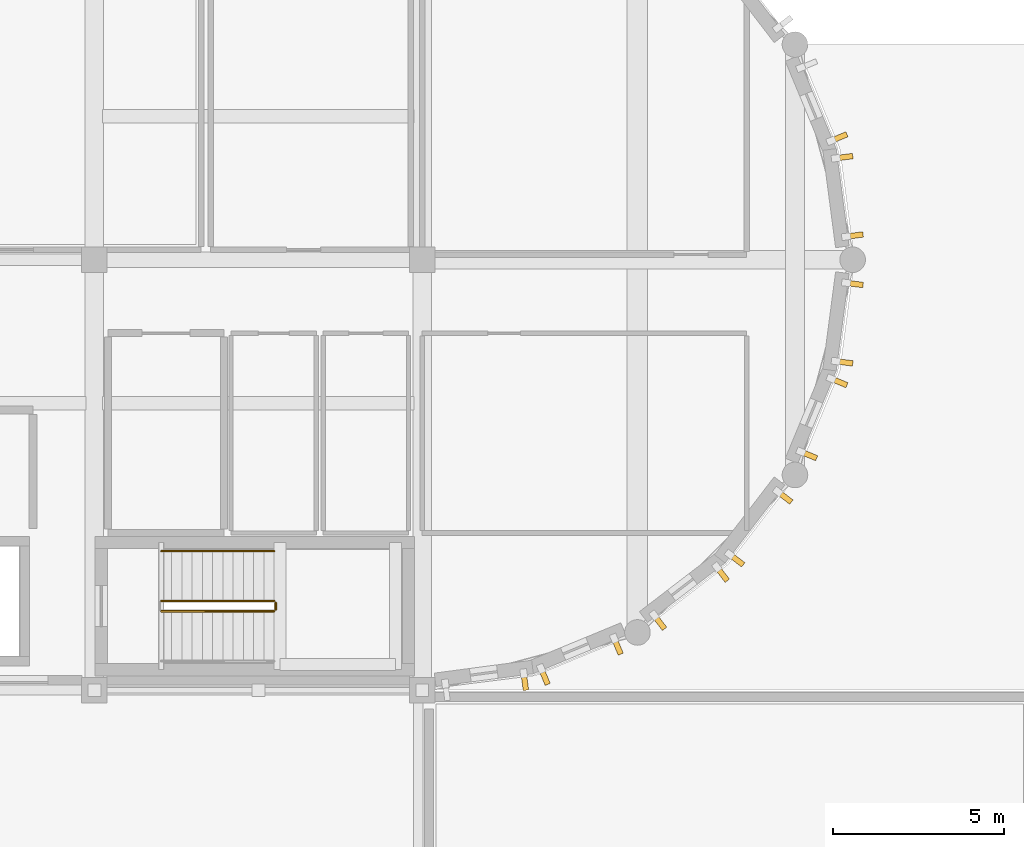
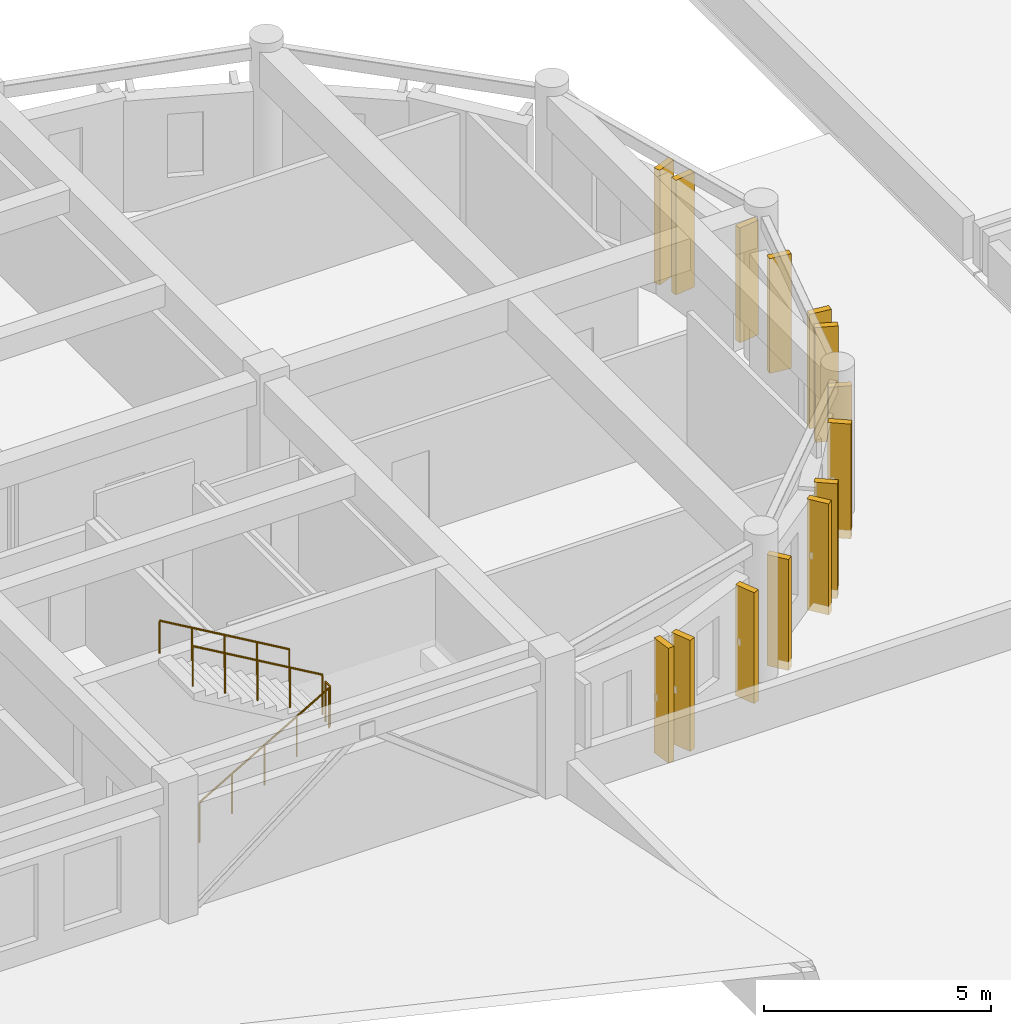
# One storey, part 42 of 46: 14 coverings, 4 railings.
"""IFC4 building model written with IfcOpenShell, lengths in metres."""

import ifcopenshell
import ifcopenshell.guid

model = None  # the IFC model being written
_history = None  # IfcOwnerHistory: only IFC2X3 demands one
_inside = {}  # id of a spatial element -> (the spatial element, [elements in it])
_under = {}  # id of a project, library or spatial element -> (it, [spatial elements below it])
_declared = {}  # id of a project -> (the project, [libraries it declares])
_typed = {}  # id of a type object -> (the type object, [elements of that type])
_made_of = {}  # id of a material, layer set ... -> (it, [elements and type objects made of it])


def new_model(schema):
    """Start an empty IFC model of exactly this schema.

    Asked for "IFC4X3", IfcOpenShell would pick the latest addendum, in which some entities
    have other attributes; the version numbers below select the first issue.
    IFC2X3 requires an IfcOwnerHistory on every rooted entity: one is made here for all.
    """
    global model, _history
    if schema == "IFC4X3":
        model = ifcopenshell.file(schema_version=(4, 3, 0, 0))
    else:
        model = ifcopenshell.file(schema=schema)
    _inside.clear()
    _under.clear()
    _declared.clear()
    _typed.clear()
    _made_of.clear()
    _history = None
    if model.schema == "IFC2X3":
        org = make("IfcOrganization", Name="unknown")
        user = make(
            "IfcPersonAndOrganization",
            ThePerson=make("IfcPerson", FamilyName="unknown"),
            TheOrganization=org,
        )
        app = make(
            "IfcApplication",
            ApplicationDeveloper=org,
            Version="unknown",
            ApplicationFullName="unknown",
            ApplicationIdentifier="unknown",
        )
        _history = make(
            "IfcOwnerHistory",
            OwningUser=user,
            OwningApplication=app,
            ChangeAction="ADDED",
            CreationDate=0,
        )
    return model


def make(cls, **values):
    """One entity of the class cls with the attributes given. An attribute that is None is left unset."""
    return model.create_entity(
        cls, **{name: value for name, value in values.items() if value is not None}
    )


def rooted(cls, **values):
    """An entity with a GlobalId (a new one), such as an element, a storey or a relation."""
    return make(cls, GlobalId=ifcopenshell.guid.new(), OwnerHistory=_history, **values)


def si_unit(unit_type, name, prefix=None):
    """IfcSIUnit, for example si_unit("LENGTHUNIT", "METRE", prefix="MILLI")."""
    return make("IfcSIUnit", UnitType=unit_type, Prefix=prefix, Name=name)


def assignment(units):
    """IfcUnitAssignment: the units of a project."""
    return None if units is None else make("IfcUnitAssignment", Units=units)


def point(xyz):
    """IfcCartesianPoint."""
    return None if xyz is None else make("IfcCartesianPoint", Coordinates=xyz)


def direction(xyz):
    """IfcDirection."""
    return None if xyz is None else make("IfcDirection", DirectionRatios=xyz)


def frame(location, z_axis=None, x_axis=None):
    """IfcAxis2Placement3D, a coordinate frame: its origin and axes. An axis left out is left unset."""
    return make(
        "IfcAxis2Placement3D",
        Location=point(location),
        Axis=direction(z_axis),
        RefDirection=direction(x_axis),
    )


def frame_2d(location, x_axis=None):
    """IfcAxis2Placement2D, a coordinate frame in the plane: its origin and x axis."""
    return make(
        "IfcAxis2Placement2D", Location=point(location), RefDirection=direction(x_axis)
    )


def origin():
    """The frame at (0, 0, 0) with its axes left unset."""
    return frame((0.0, 0.0, 0.0))


def origin_2d():
    """The frame at (0, 0) in the plane with its x axis left unset."""
    return frame_2d((0.0, 0.0))


def place(relative_to, where):
    """IfcLocalPlacement: puts the frame where relative to a parent placement (None: the world)."""
    return make(
        "IfcLocalPlacement", PlacementRelTo=relative_to, RelativePlacement=where
    )


def context(
    kind, dimensions, precision=None, world=None, true_north=None, identifier=None
):
    """IfcGeometricRepresentationContext, for example the 3D "Model" context."""
    return make(
        "IfcGeometricRepresentationContext",
        ContextIdentifier=identifier,
        ContextType=kind,
        CoordinateSpaceDimension=dimensions,
        Precision=precision,
        WorldCoordinateSystem=world,
        TrueNorth=true_north,
    )


def subcontext(parent, identifier, kind, view, scale=None):
    """IfcGeometricRepresentationSubContext, for example "Body" below "Model"."""
    return make(
        "IfcGeometricRepresentationSubContext",
        ContextIdentifier=identifier,
        ContextType=kind,
        ParentContext=parent,
        TargetScale=scale,
        TargetView=view,
    )


def project(units=None, contexts=None):
    """IfcProject with its units and contexts."""
    return rooted(
        "IfcProject",
        Name="project",
        RepresentationContexts=contexts,
        UnitsInContext=assignment(units),
    )


def spatial(cls, under=None, at=None, **own):
    """A site, building, storey or space (cls), placed at a placement, below another one or the project."""
    s = rooted(cls, ObjectPlacement=at, **own)
    if under is not None:
        _under.setdefault(under.id(), (under, []))[1].append(s)
    return s


def profile(cls, at=None, kind="AREA", **sizes):
    """A parametric profile (cls). Its sizes go by their IFC names, for example OverallWidth=200.0."""
    return make(cls, ProfileType=kind, Position=at, **sizes)


def rectangle(**sizes):
    """IfcRectangleProfileDef."""
    return profile("IfcRectangleProfileDef", **sizes)


def circle(**sizes):
    """IfcCircleProfileDef."""
    return profile("IfcCircleProfileDef", **sizes)


def extrude(swept, where, along, depth):
    """IfcExtrudedAreaSolid: the profile swept, set in the frame where, extruded along a direction by depth."""
    return make(
        "IfcExtrudedAreaSolid",
        SweptArea=swept,
        Position=where,
        ExtrudedDirection=direction(along),
        Depth=depth,
    )


def shape(context_of_items, identifier, shape_type, items):
    """IfcShapeRepresentation: the items that make up one representation, for example the "Body"."""
    return make(
        "IfcShapeRepresentation",
        ContextOfItems=context_of_items,
        RepresentationIdentifier=identifier,
        RepresentationType=shape_type,
        Items=items,
    )


def material(Name=None, Category=None):
    """IfcMaterial."""
    return make("IfcMaterial", Name=Name, Category=Category)


def layer(
    of_material, thickness, ventilated=None, Name=None, Category=None, Priority=None
):
    """IfcMaterialLayer: one layer of a wall or slab, of a material (None: an air gap)."""
    return make(
        "IfcMaterialLayer",
        Material=of_material,
        LayerThickness=thickness,
        IsVentilated=ventilated,
        Name=Name,
        Category=Category,
        Priority=Priority,
    )


def layer_set(layers, Name=None):
    """IfcMaterialLayerSet."""
    return make("IfcMaterialLayerSet", MaterialLayers=layers, LayerSetName=Name)


def made_of(thing, what):
    """Note that an element or type object is made of a material, layer set ...; save() writes the relation."""
    if what is not None:
        _made_of.setdefault(what.id(), (what, []))[1].append(thing)
    return thing


def type_object(cls, material=None, **own):
    """A type object (cls), such as IfcWallType, which elements share."""
    return made_of(rooted(cls, **own), material)


def element(
    cls,
    number,
    at=None,
    inside=None,
    cuts=None,
    type_object=None,
    material=None,
    context=None,
    identifier="Body",
    shape_type=None,
    held_by="IfcProductDefinitionShape",
    body=None,
    shapes=None,
    **own,
):
    """One element of the class cls, such as IfcWall. Its Tag is "e" and its number.

    at: its placement. inside: the storey or other place that contains it. cuts: it is an
    opening in that element (IfcRelVoidsElement). A single representation is given by context,
    identifier, shape_type and body (its items); several are given by shapes. held_by: the class
    of the entity that holds the representations. save() writes the other relations.
    """
    e = rooted(cls, Tag="e%d" % number, ObjectPlacement=at, **own)
    if body is not None:
        shapes = [shape(context, identifier, shape_type, body)]
    if shapes is not None:
        e.Representation = make(held_by, Representations=shapes)
    if inside is not None:
        _inside.setdefault(inside.id(), (inside, []))[1].append(e)
    if cuts is not None:
        rooted(
            "IfcRelVoidsElement", RelatingBuildingElement=cuts, RelatedOpeningElement=e
        )
    if type_object is not None:
        _typed.setdefault(type_object.id(), (type_object, []))[1].append(e)
    return made_of(e, material)


def aggregate(whole, parts):
    """IfcRelAggregates: a whole, such as a stair, and the parts it consists of."""
    return rooted("IfcRelAggregates", RelatingObject=whole, RelatedObjects=parts)


def save(model, path):
    """Write the relations noted so far, then the file.

    IfcRelAggregates (storeys below a building ...), IfcRelContainedInSpatialStructure (elements
    in a storey), IfcRelDefinesByType, IfcRelAssociatesMaterial and IfcRelDeclares: one each for
    every whole, place, type object, material and project.
    """
    for whole, parts in _under.values():
        aggregate(whole, parts)
    for where, things in _inside.values():
        rooted(
            "IfcRelContainedInSpatialStructure",
            RelatedElements=things,
            RelatingStructure=where,
        )
    for kind, things in _typed.values():
        rooted("IfcRelDefinesByType", RelatedObjects=things, RelatingType=kind)
    for what, things in _made_of.values():
        rooted("IfcRelAssociatesMaterial", RelatedObjects=things, RelatingMaterial=what)
    for by, libraries in _declared.values():
        rooted("IfcRelDeclares", RelatingContext=by, RelatedDefinitions=libraries)
    model.write(path)


model = new_model("IFC4")

# Units and contexts
model_context = context("Model", 3, precision=1e-05, world=origin(), true_north=direction((0.0, 1.0)))
body_context = subcontext(model_context, "Body", "Model", "MODEL_VIEW")
ifc_project = project(units=[si_unit("LENGTHUNIT", "METRE"), si_unit("AREAUNIT", "SQUARE_METRE"), si_unit("VOLUMEUNIT", "CUBIC_METRE"), si_unit("PLANEANGLEUNIT", "RADIAN"), si_unit("MASSUNIT", "GRAM", prefix="KILO")], contexts=[model_context])

# Site, building, storey
site_placement = place(None, origin())
site = spatial("IfcSite", under=ifc_project, at=site_placement, CompositionType="ELEMENT")
building_placement = place(site_placement, origin())
building = spatial("IfcBuilding", under=site, at=building_placement, Name="Tarnavel Promenade Courthouse", CompositionType="ELEMENT")
storey_placement = place(building_placement, frame((0.0, 0.0, 14.39990234375)))
storey = spatial("IfcBuildingStorey", under=building, at=storey_placement, Name="L04", CompositionType="ELEMENT", Elevation=14.39990234375)

# Railings
ifc_material_1 = material(Name="Brushed Bronze Tubular Stair Handrail")
railing_type_1 = type_object("IfcRailingType", Name="Brushed Bronze Tubular Stair Handrail (RL-HND-0900)", PredefinedType="HANDRAIL", material=ifc_material_1)
railing_1_placement = place(storey_placement, frame((97.659912109375, 83.27001953125, 2.275146484375)))
element("IfcRailing", 1, at=railing_1_placement, inside=storey, type_object=railing_type_1, Name="L04 ST-02 stair handrail 2", PredefinedType="HANDRAIL", context=body_context, shape_type="SweptSolid", body=[
    extrude(circle(Radius=0.02392578125, at=origin_2d()), frame((0.0, 0.0, 0.8759765625), z_axis=(-0.863760357493, 0.0, 0.503902812876), x_axis=(0.0, -1.0, 0.0)), (0.0, 0.0, 1.0), 3.8203125),
    extrude(circle(Radius=0.02099609375, at=origin_2d()), origin(), (0.0, 0.0, 1.0), 0.851806640625),
    extrude(circle(Radius=0.02099609375, at=origin_2d()), frame((-0.824951171875, 0.0, 0.481201171875)), (0.0, 0.0, 1.0), 0.851806640625),
    extrude(circle(Radius=0.02099609375, at=origin_2d()), frame((-1.64990234375, 0.0, 0.96240234375)), (0.0, 0.0, 1.0), 0.851806640625),
    extrude(circle(Radius=0.02099609375, at=origin_2d()), frame((-2.474853515625, 0.0, 1.44384765625)), (0.0, 0.0, 1.0), 0.851806640625),
    extrude(circle(Radius=0.02099609375, at=origin_2d()), frame((-3.2998046875, 0.0, 1.925048828125)), (0.0, 0.0, 1.0), 0.851806640625),
])
ifc_material_2 = material(Name="Painted Architectural Steel Core Stair Guardrail", Category="steel")
railing_type_2 = type_object("IfcRailingType", Name="Painted Architectural Steel Core Stair Guardrail (RL-GRD-1100)", PredefinedType="GUARDRAIL", material=ifc_material_2)
railing_2_placement = place(storey_placement, frame((94.360107421875, 81.510009765625, 0.175048828125)))
element("IfcRailing", 2, at=railing_2_placement, inside=storey, type_object=railing_type_2, Name="L04 ST-02 stair guard 1", PredefinedType="GUARDRAIL", context=body_context, shape_type="SweptSolid", body=[
    extrude(circle(Radius=0.02392578125, at=origin_2d()), frame((0.0, 0.0, 1.076171875), z_axis=(0.863760357493, 0.0, 0.503902812876), x_axis=(0.0, 1.0, 0.0)), (0.0, 0.0, 1.0), 3.8203125),
    extrude(circle(Radius=0.02099609375, at=origin_2d()), origin(), (0.0, 0.0, 1.0), 1.052001953125),
    extrude(circle(Radius=0.02099609375, at=origin_2d()), frame((0.824951171875, 0.0, 0.481201171875)), (0.0, 0.0, 1.0), 1.052001953125),
    extrude(circle(Radius=0.02099609375, at=origin_2d()), frame((1.64990234375, 0.0, 0.96240234375)), (0.0, 0.0, 1.0), 1.052001953125),
    extrude(circle(Radius=0.02099609375, at=origin_2d()), frame((2.474853515625, 0.0, 1.44384765625)), (0.0, 0.0, 1.0), 1.052001953125),
    extrude(circle(Radius=0.02099609375, at=origin_2d()), frame((3.2998046875, 0.0, 1.925048828125)), (0.0, 0.0, 1.0), 1.052001953125),
])
railing_3_placement = place(storey_placement, frame((97.7099609375, 81.56005859375, 2.10009765625)))
element("IfcRailing", 3, at=railing_3_placement, inside=storey, type_object=railing_type_2, Name="L04 ST-02 stair guard 2", PredefinedType="GUARDRAIL", context=body_context, shape_type="SweptSolid", body=[
    extrude(circle(Radius=0.02392578125, at=origin_2d()), frame((0.0, 0.0, 1.076171875), z_axis=(0.0, 1.0, 0.0), x_axis=(-1.0, 0.0, 0.0)), (0.0, 0.0, 1.0), 0.199951171875),
    extrude(circle(Radius=0.02099609375, at=origin_2d()), origin(), (0.0, 0.0, 1.0), 1.052001953125),
    extrude(circle(Radius=0.02099609375, at=origin_2d()), frame((0.0, 0.199951171875, 0.0)), (0.0, 0.0, 1.0), 1.052001953125),
])
railing_4_placement = place(storey_placement, frame((97.659912109375, 81.81005859375, 2.275146484375)))
element("IfcRailing", 4, at=railing_4_placement, inside=storey, type_object=railing_type_2, Name="L04 ST-02 stair guard 3", PredefinedType="GUARDRAIL", context=body_context, shape_type="SweptSolid", body=[
    extrude(circle(Radius=0.02392578125, at=origin_2d()), frame((0.0, 0.0, 1.076171875), z_axis=(-0.863760357493, 0.0, 0.503902812876), x_axis=(0.0, -1.0, 0.0)), (0.0, 0.0, 1.0), 3.8203125),
    extrude(circle(Radius=0.02099609375, at=origin_2d()), origin(), (0.0, 0.0, 1.0), 1.052001953125),
    extrude(circle(Radius=0.02099609375, at=origin_2d()), frame((-0.824951171875, 0.0, 0.481201171875)), (0.0, 0.0, 1.0), 1.052001953125),
    extrude(circle(Radius=0.02099609375, at=origin_2d()), frame((-1.64990234375, 0.0, 0.96240234375)), (0.0, 0.0, 1.0), 1.052001953125),
    extrude(circle(Radius=0.02099609375, at=origin_2d()), frame((-2.474853515625, 0.0, 1.44384765625)), (0.0, 0.0, 1.0), 1.052001953125),
    extrude(circle(Radius=0.02099609375, at=origin_2d()), frame((-3.2998046875, 0.0, 1.925048828125)), (0.0, 0.0, 1.0), 1.052001953125),
])

# Coverings
ifc_material_3 = material(Name="Patinated Copper-Bronze Fluted Pier Cladding")
ifc_layer = layer(ifc_material_3, 0.52001953125)
ifc_layer_set = layer_set([ifc_layer], Name="Patinated Copper-Bronze Fluted Pier Cladding")
covering_type = type_object("IfcCoveringType", Name="Patinated Copper-Bronze Fluted Pier Cladding COV-PIER-520 (520 mm)", PredefinedType="CLADDING", material=ifc_layer_set)
covering_placement = place(storey_placement, frame((105.001708984375, 79.4541015625, 0.0), z_axis=(0.0, 0.0, 1.0), x_axis=(0.991444861374, 0.13052619222, 0.0)))
element("IfcCovering", 5, at=covering_placement, inside=storey, type_object=covering_type, Name="L04 E Drum Fluted Copper Pier 0112", PredefinedType="CLADDING", context=body_context, shape_type="SweptSolid", body=[
    extrude(rectangle(XDim=0.159912109375, YDim=0.52001953125, at=origin_2d()), origin(), (0.0, 0.0, 1.0), 3.090087890625),
])
for number, where, z_axis, x_axis, name in (
    (6, (105.573486328125, 79.607177734375, 0.0), (0.0, 0.0, 1.0), (0.923879532511, 0.382683432365, 0.0), "L04 E Drum Fluted Copper Pier 0113"),
    (7, (107.71142578125, 80.492919921875, 0.0), (0.0, 0.0, 1.0), (0.923879532511, 0.382683432365, 0.0), "L04 E Drum Fluted Copper Pier 0114"),
    (8, (108.9365234375, 81.2001953125, 0.0), (0.0, 0.0, 1.0), (0.793353340291, 0.608761429009, 0.0), "L04 E Drum Fluted Copper Pier 0115"),
    (9, (110.772705078125, 82.60888671875, 0.0), (0.0, 0.0, 1.0), (0.793353340291, 0.608761429009, 0.0), "L04 E Drum Fluted Copper Pier 0116"),
):
    element("IfcCovering", number, at=place(storey_placement, frame(where, z_axis=z_axis, x_axis=x_axis)), inside=storey, type_object=covering_type, Name=name, PredefinedType="CLADDING", context=body_context, shape_type="SweptSolid", body=[
        extrude(rectangle(XDim=0.159912109375, YDim=0.52001953125, at=origin_2d()), origin(), (0.0, 0.0, 1.0), 2.989990234375),
    ])
for number, where, z_axis, x_axis, name in (
    (10, (111.191162109375, 83.02734375, 0.0), (0.0, 0.0, 1.0), (0.608761429009, 0.793353340291, 0.0), "L04 E Drum Fluted Copper Pier 0117"),
    (11, (112.599853515625, 84.86328125, 0.0), (0.0, 0.0, 1.0), (0.608761429009, 0.793353340291, 0.0), "L04 E Drum Fluted Copper Pier 0118"),
    (12, (113.30712890625, 86.08837890625, 0.0), (0.0, 0.0, 1.0), (0.382683432365, 0.923879532511, 0.0), "L04 E Drum Fluted Copper Pier 0119"),
    (13, (114.19287109375, 88.2265625, 0.0), (0.0, 0.0, 1.0), (0.382683432365, 0.923879532511, 0.0), "L04 E Drum Fluted Copper Pier 0120"),
    (14, (114.345947265625, 88.798095703125, 0.0), (0.0, 0.0, 1.0), (0.13052619222, 0.991444861374, 0.0), "L04 E Drum Fluted Copper Pier 0121"),
    (15, (114.648193359375, 91.0927734375, 0.0), (0.0, 0.0, 1.0), (0.13052619222, 0.991444861374, 0.0), "L04 E Drum Fluted Copper Pier 0122"),
    (16, (114.648193359375, 92.50732421875, 0.0), (0.0, 0.0, 1.0), (-0.13052619222, 0.991444861374, 0.0), "L04 E Drum Fluted Copper Pier 0123"),
    (17, (114.345947265625, 94.8017578125, 0.0), (0.0, 0.0, 1.0), (-0.13052619222, 0.991444861374, 0.0), "L04 E Drum Fluted Copper Pier 0124"),
    (18, (114.19287109375, 95.373291015625, 0.0), (0.0, 0.0, 1.0), (-0.382683432365, 0.923879532511, 0.0), "L04 E Drum Fluted Copper Pier 0125"),
):
    element("IfcCovering", number, at=place(storey_placement, frame(where, z_axis=z_axis, x_axis=x_axis)), inside=storey, type_object=covering_type, Name=name, PredefinedType="CLADDING", context=body_context, shape_type="SweptSolid", body=[
        extrude(rectangle(XDim=0.159912109375, YDim=0.52001953125, at=origin_2d()), origin(), (0.0, 0.0, 1.0), 3.090087890625),
    ])

save(model, "model.ifc")
